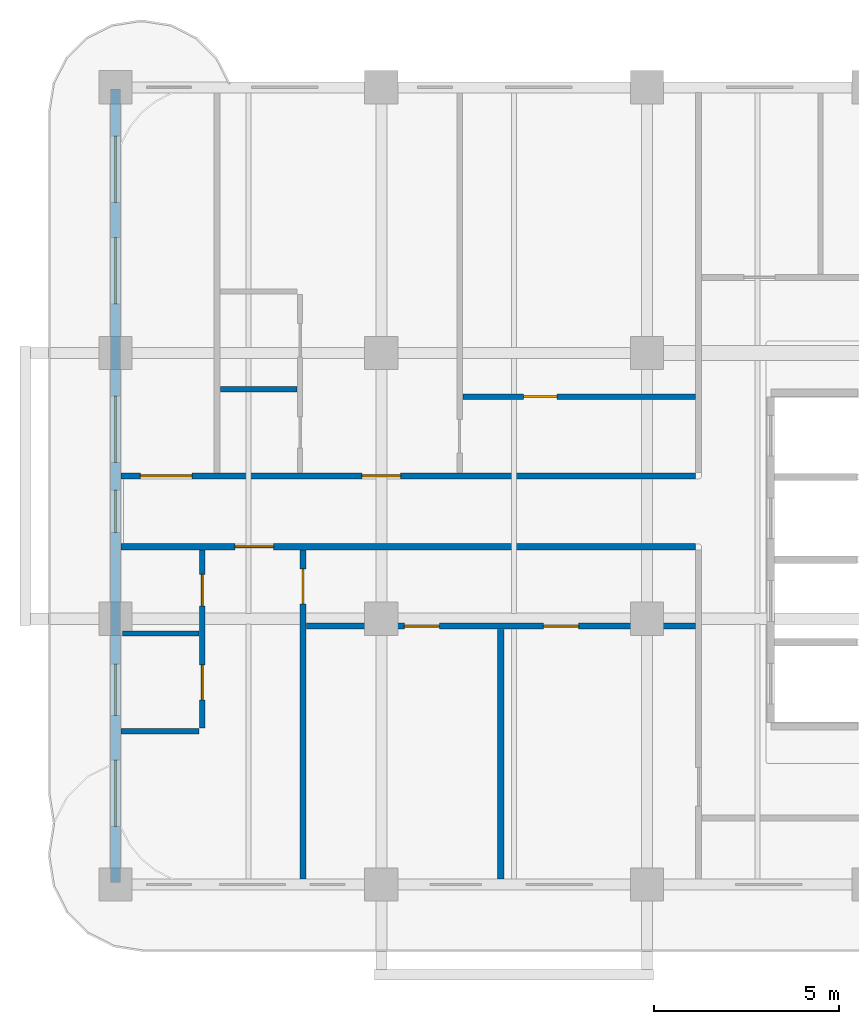
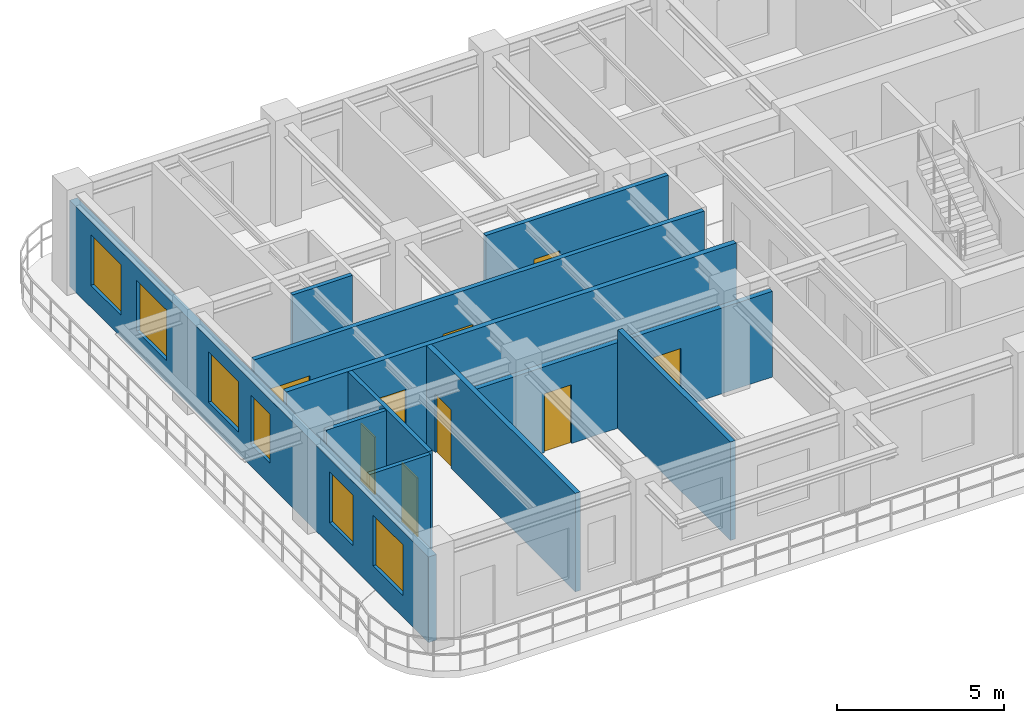
# One storey, part 2 of 7: 11 walls, 9 doors, 6 windows, 15 openings.
"""IFC4 building model written with IfcOpenShell, lengths in metres."""

from ifc_helpers import new_model, si_unit, derived_unit, direction, frame, frame_2d, origin, place, context, subcontext, project, spatial, rectangle, extrude, source, transform, mapped, material, layer, layer_set, type_object, type_shapes, element, fill, save


model = new_model("IFC4")

# Units and contexts
model_context = context("Model", 3, precision=1e-05, world=origin(), true_north=direction((0.0, 1.0)))
body_context = subcontext(model_context, "Body", "Model", "MODEL_VIEW")
ifc_project = project(units=[si_unit("LENGTHUNIT", "METRE"), si_unit("AREAUNIT", "SQUARE_METRE"), si_unit("VOLUMEUNIT", "CUBIC_METRE"), si_unit("PLANEANGLEUNIT", "RADIAN"), si_unit("MASSUNIT", "GRAM", prefix="KILO"), si_unit("THERMODYNAMICTEMPERATUREUNIT", "KELVIN"), si_unit("POWERUNIT", "WATT"), derived_unit("THERMALTRANSMITTANCEUNIT", [(si_unit("POWERUNIT", "WATT"), 1), (si_unit("AREAUNIT", "SQUARE_METRE"), -1), (si_unit("THERMODYNAMICTEMPERATUREUNIT", "KELVIN"), -1)])], contexts=[model_context])

# Site, building, storey
site_placement = place(None, origin())
site = spatial("IfcSite", under=ifc_project, at=site_placement, CompositionType="ELEMENT")
building_placement = place(site_placement, origin())
building = spatial("IfcBuilding", under=site, at=building_placement, Name="Zahravan Archway Hotel and Residences", CompositionType="ELEMENT")
storey_placement = place(building_placement, frame((0.0, 0.0, 221.14990234375)))
storey = spatial("IfcBuildingStorey", under=building, at=storey_placement, Name="L55", CompositionType="ELEMENT", Elevation=221.14990234375)

# Wall, openings, windows
ifc_material_1 = material(Name="Honed Red-Ochre Sandstone & Insulated Block", Category="masonry")
ifc_layer_1 = layer(ifc_material_1, 0.280029296875, Name="Honed Red-Ochre Sandstone & Insulated Block", Category="masonry")
ifc_layer_set_1 = layer_set([ifc_layer_1], Name="Honed Red-Ochre Sandstone & Insulated Block")
wall_type_1 = type_object("IfcWallType", Name="EW-LOG-280", PredefinedType="SOLIDWALL", material=ifc_layer_set_1)
wall_1_placement = place(storey_placement, frame((14.39990234375, 0.050048828125, 0.0), z_axis=(0.0, 0.0, 1.0), x_axis=(0.0, 1.0, 0.0)))
wall_1 = element("IfcWall", 1, at=wall_1_placement, inside=storey, type_object=wall_type_1, Name="L55 Exterior Sandstone Wall WA-W", PredefinedType="SOLIDWALL", context=body_context, shape_type="SweptSolid", body=[
    extrude(rectangle(XDim=21.5, YDim=0.280029296875, at=frame_2d((10.75, 0.0))), origin(), (0.0, 0.0, 1.0), 3.135009765625),
])
opening_1_placement = place(wall_1_placement, frame((1.52099609375, 0.0, 0.800048828125)))
opening_1 = element("IfcOpeningElement", 2, at=opening_1_placement, cuts=wall_1, Name="Opening W-02", PredefinedType="OPENING", context=body_context, shape_type="SweptSolid", body=[
    extrude(rectangle(XDim=1.800048828125, YDim=1.85009765625, at=frame_2d((0.89990234375, 0.925048828125))), frame((0.0, 0.14990234375, 0.0), z_axis=(0.0, -1.0, 0.0), x_axis=(1.0, 0.0, 0.0)), (0.0, 0.0, 1.0), 0.300048828125),
])
opening_2_placement = place(wall_1_placement, frame((4.529052734375, 0.0, 0.800048828125)))
opening_2 = element("IfcOpeningElement", 3, at=opening_2_placement, cuts=wall_1, Name="Opening W-03", PredefinedType="OPENING", context=body_context, shape_type="SweptSolid", body=[
    extrude(rectangle(XDim=1.39990234375, YDim=1.85009765625, at=frame_2d((0.699951171875, 0.925048828125))), frame((0.0, 0.14990234375, 0.0), z_axis=(0.0, -1.0, 0.0), x_axis=(1.0, 0.0, 0.0)), (0.0, 0.0, 1.0), 0.300048828125),
])
opening_3_placement = place(wall_1_placement, frame((9.485107421875, 0.0, 0.800048828125)))
opening_3 = element("IfcOpeningElement", 4, at=opening_3_placement, cuts=wall_1, Name="Opening W-05", PredefinedType="OPENING", context=body_context, shape_type="SweptSolid", body=[
    extrude(rectangle(XDim=1.14990234375, YDim=1.800048828125, at=frame_2d((0.574951171875, 0.89990234375))), frame((0.0, 0.14990234375, 0.0), z_axis=(0.0, -1.0, 0.0), x_axis=(1.0, 0.0, 0.0)), (0.0, 0.0, 1.0), 0.300048828125),
])
opening_4_placement = place(wall_1_placement, frame((11.388916015625, 0.0, 0.800048828125)))
opening_4 = element("IfcOpeningElement", 5, at=opening_4_placement, cuts=wall_1, Name="Opening W-02", PredefinedType="OPENING", context=body_context, shape_type="SweptSolid", body=[
    extrude(rectangle(XDim=1.800048828125, YDim=1.85009765625, at=frame_2d((0.89990234375, 0.925048828125))), frame((0.0, 0.14990234375, 0.0), z_axis=(0.0, -1.0, 0.0), x_axis=(1.0, 0.0, 0.0)), (0.0, 0.0, 1.0), 0.300048828125),
])
opening_5_placement = place(wall_1_placement, frame((15.675048828125, 0.0, 0.800048828125)))
opening_5 = element("IfcOpeningElement", 6, at=opening_5_placement, cuts=wall_1, Name="Opening W-02", PredefinedType="OPENING", context=body_context, shape_type="SweptSolid", body=[
    extrude(rectangle(XDim=1.800048828125, YDim=1.85009765625, at=frame_2d((0.89990234375, 0.925048828125))), frame((0.0, 0.14990234375, 0.0), z_axis=(0.0, -1.0, 0.0), x_axis=(1.0, 0.0, 0.0)), (0.0, 0.0, 1.0), 0.300048828125),
])
opening_6_placement = place(wall_1_placement, frame((18.425048828125, 0.0, 0.800048828125)))
opening_6 = element("IfcOpeningElement", 7, at=opening_6_placement, cuts=wall_1, Name="Opening W-02", PredefinedType="OPENING", context=body_context, shape_type="SweptSolid", body=[
    extrude(rectangle(XDim=1.800048828125, YDim=1.85009765625, at=frame_2d((0.89990234375, 0.925048828125))), frame((0.0, 0.14990234375, 0.0), z_axis=(0.0, -1.0, 0.0), x_axis=(1.0, 0.0, 0.0)), (0.0, 0.0, 1.0), 0.300048828125),
])
ifc_material_2 = material(Name="Bronze-Anodized Thermal-Break Aluminium & Low-E Glass", Category="aluminium")
window_type_1 = type_object("IfcWindowType", Name="WIN-TWR-1400", PartitioningType="SINGLE_PANEL", PredefinedType="WINDOW", material=ifc_material_2)
shared_shape_1 = source(origin(), body_context, "Body", "SweptSolid", [
    extrude(rectangle(XDim=1.39990234375, YDim=1.85009765625, at=frame_2d((0.699951171875, 0.925048828125))), frame((0.0, 0.030029296875, 0.0), z_axis=(0.0, -1.0, 0.0), x_axis=(1.0, 0.0, 0.0)), (0.0, 0.0, 1.0), 0.06005859375),
])
type_shapes(window_type_1, [shared_shape_1])
window_1_placement = place(opening_2_placement, origin())
window_1 = element("IfcWindow", 8, at=window_1_placement, inside=storey, type_object=window_type_1, Name="L55 Loggia Window 20", OverallHeight=1.85009765625, OverallWidth=1.39990234375, PartitioningType="SINGLE_PANEL", PredefinedType="WINDOW", context=body_context, shape_type="MappedRepresentation", body=[
    mapped(shared_shape_1, transform((0.0, 0.0, 0.0), scale=1.0)),
])
fill(opening_2, window_1)
window_type_2 = type_object("IfcWindowType", Name="WIN-TWR-1800", PartitioningType="DOUBLE_PANEL_VERTICAL", PredefinedType="WINDOW", material=ifc_material_2)
shared_shape_2 = source(origin(), body_context, "Body", "SweptSolid", [
    extrude(rectangle(XDim=1.800048828125, YDim=1.85009765625, at=frame_2d((0.89990234375, 0.925048828125))), frame((0.0, 0.030029296875, 0.0), z_axis=(0.0, -1.0, 0.0), x_axis=(1.0, 0.0, 0.0)), (0.0, 0.0, 1.0), 0.06005859375),
])
type_shapes(window_type_2, [shared_shape_2])
window_2_placement = place(opening_1_placement, origin())
window_2 = element("IfcWindow", 9, at=window_2_placement, inside=storey, type_object=window_type_2, Name="L55 Loggia Window 19", OverallHeight=1.85009765625, OverallWidth=1.800048828125, PartitioningType="DOUBLE_PANEL_VERTICAL", PredefinedType="WINDOW", context=body_context, shape_type="MappedRepresentation", body=[
    mapped(shared_shape_2, transform((0.0, 0.0, 0.0), scale=1.0)),
])
fill(opening_1, window_2)
window_3_placement = place(opening_4_placement, origin())
window_3 = element("IfcWindow", 10, at=window_3_placement, inside=storey, type_object=window_type_2, Name="L55 Loggia Window 22", OverallHeight=1.85009765625, OverallWidth=1.800048828125, PartitioningType="DOUBLE_PANEL_VERTICAL", PredefinedType="WINDOW", context=body_context, shape_type="MappedRepresentation", body=[
    mapped(shared_shape_2, transform((0.0, 0.0, 0.0), scale=1.0)),
])
fill(opening_4, window_3)
window_4_placement = place(opening_5_placement, origin())
window_4 = element("IfcWindow", 11, at=window_4_placement, inside=storey, type_object=window_type_2, Name="L55 Loggia Window 23", OverallHeight=1.85009765625, OverallWidth=1.800048828125, PartitioningType="DOUBLE_PANEL_VERTICAL", PredefinedType="WINDOW", context=body_context, shape_type="MappedRepresentation", body=[
    mapped(shared_shape_2, transform((0.0, 0.0, 0.0), scale=1.0)),
])
fill(opening_5, window_4)
window_5_placement = place(opening_6_placement, origin())
window_5 = element("IfcWindow", 12, at=window_5_placement, inside=storey, type_object=window_type_2, Name="L55 Loggia Window 24", OverallHeight=1.85009765625, OverallWidth=1.800048828125, PartitioningType="DOUBLE_PANEL_VERTICAL", PredefinedType="WINDOW", context=body_context, shape_type="MappedRepresentation", body=[
    mapped(shared_shape_2, transform((0.0, 0.0, 0.0), scale=1.0)),
])
fill(opening_6, window_5)
window_type_3 = type_object("IfcWindowType", Name="WIN-TWR-1150", PartitioningType="SINGLE_PANEL", PredefinedType="WINDOW", material=ifc_material_2)
shared_shape_3 = source(origin(), body_context, "Body", "SweptSolid", [
    extrude(rectangle(XDim=1.14990234375, YDim=1.800048828125, at=frame_2d((0.574951171875, 0.89990234375))), frame((0.0, 0.030029296875, 0.0), z_axis=(0.0, -1.0, 0.0), x_axis=(1.0, 0.0, 0.0)), (0.0, 0.0, 1.0), 0.06005859375),
])
type_shapes(window_type_3, [shared_shape_3])
window_6_placement = place(opening_3_placement, origin())
window_6 = element("IfcWindow", 13, at=window_6_placement, inside=storey, type_object=window_type_3, Name="L55 Loggia Window 21", OverallHeight=1.800048828125, OverallWidth=1.14990234375, PartitioningType="SINGLE_PANEL", PredefinedType="WINDOW", context=body_context, shape_type="MappedRepresentation", body=[
    mapped(shared_shape_3, transform((0.0, 0.0, 0.0), scale=1.0)),
])
fill(opening_3, window_6)

# Wall, openings, doors
ifc_material_3 = material(Name="Fire-Rated Gypsum & Concrete Block", Category="concrete")
ifc_layer_2 = layer(ifc_material_3, 0.159912109375, Name="Fire-Rated Gypsum & Concrete Block", Category="concrete")
ifc_layer_set_2 = layer_set([ifc_layer_2], Name="Fire-Rated Gypsum & Concrete Block")
wall_type_2 = type_object("IfcWallType", Name="PW-CORR-160", PredefinedType="PARTITIONING", material=ifc_layer_set_2)
wall_2_placement = place(storey_placement, frame((14.548095703125, 11.070068359375, 0.0), z_axis=(0.0, 0.0, 1.0), x_axis=(1.0, 0.0, 0.0)))
wall_2 = element("IfcWall", 14, at=wall_2_placement, inside=storey, type_object=wall_type_2, Name="L55 Partition WA-CN", PredefinedType="PARTITIONING", context=body_context, shape_type="SweptSolid", body=[
    extrude(rectangle(XDim=15.56201171875, YDim=0.159912109375, at=frame_2d((7.781005859375, 0.0))), origin(), (0.0, 0.0, 1.0), 3.60009765625),
])
opening_7_placement = place(wall_2_placement, frame((0.527099609375, 0.0, 0.0)))
opening_7 = element("IfcOpeningElement", 15, at=opening_7_placement, cuts=wall_2, Name="Opening D-P1", PredefinedType="OPENING", context=body_context, shape_type="SweptSolid", body=[
    extrude(rectangle(XDim=1.39990234375, YDim=2.35009765625, at=frame_2d((0.699951171875, 1.175048828125))), frame((0.0, 0.08984375, 0.0), z_axis=(0.0, -1.0, 0.0), x_axis=(1.0, 0.0, 0.0)), (0.0, 0.0, 1.0), 0.179931640625),
])
opening_8_placement = place(wall_2_placement, frame((6.527099609375, 0.0, 0.0)))
opening_8 = element("IfcOpeningElement", 16, at=opening_8_placement, cuts=wall_2, Name="Opening D-U1", PredefinedType="OPENING", context=body_context, shape_type="SweptSolid", body=[
    extrude(rectangle(XDim=1.050048828125, YDim=2.25, at=frame_2d((0.52490234375, 1.125))), frame((0.0, 0.08984375, 0.0), z_axis=(0.0, -1.0, 0.0), x_axis=(1.0, 0.0, 0.0)), (0.0, 0.0, 1.0), 0.179931640625),
])
ifc_material_4 = material(Name="Bronze-Anodized Glazed Aluminium", Category="aluminium")
door_type_1 = type_object("IfcDoorType", Name="ID-PUBLIC-1400", OperationType="DOUBLE_DOOR_SINGLE_SWING", PredefinedType="DOOR", material=ifc_material_4)
shared_shape_4 = source(origin(), body_context, "Body", "SweptSolid", [
    extrude(rectangle(XDim=1.39990234375, YDim=2.35009765625, at=frame_2d((0.699951171875, 1.175048828125))), frame((0.0, 0.02490234375, 0.0), z_axis=(0.0, -1.0, 0.0), x_axis=(1.0, 0.0, 0.0)), (0.0, 0.0, 1.0), 0.050048828125),
])
type_shapes(door_type_1, [shared_shape_4])
door_1_placement = place(opening_7_placement, origin())
door_1 = element("IfcDoor", 17, at=door_1_placement, inside=storey, type_object=door_type_1, Name="L55 North Sky Fitness Door", OperationType="DOUBLE_DOOR_SINGLE_SWING", OverallHeight=2.35009765625, OverallWidth=1.39990234375, PredefinedType="DOOR", context=body_context, shape_type="MappedRepresentation", body=[
    mapped(shared_shape_4, transform((0.0, 0.0, 0.0), scale=1.0)),
])
fill(opening_7, door_1)
ifc_material_5 = material(Name="Hardwood Veneer Timber", Category="wood")
door_type_2 = type_object("IfcDoorType", Name="ID-UNIT-1050", OperationType="NOTDEFINED", PredefinedType="DOOR", material=ifc_material_5)
shared_shape_5 = source(origin(), body_context, "Body", "SweptSolid", [
    extrude(rectangle(XDim=1.050048828125, YDim=2.25, at=frame_2d((0.52490234375, 1.125))), frame((0.0, 0.02490234375, 0.0), z_axis=(0.0, -1.0, 0.0), x_axis=(1.0, 0.0, 0.0)), (0.0, 0.0, 1.0), 0.050048828125),
])
type_shapes(door_type_2, [shared_shape_5])
door_2_placement = place(opening_8_placement, origin())
door_2 = element("IfcDoor", 18, at=door_2_placement, inside=storey, type_object=door_type_2, Name="L55 Flat N1 Entrance Door", OperationType="SINGLE_SWING_RIGHT", OverallHeight=2.25, OverallWidth=1.050048828125, PredefinedType="DOOR", context=body_context, shape_type="MappedRepresentation", body=[
    mapped(shared_shape_5, transform((0.0, 0.0, 0.0), scale=1.0)),
])
fill(opening_8, door_2)

# Wall, opening, door
ifc_layer_3 = layer(ifc_material_3, 0.179931640625, Name="Fire-Rated Gypsum & Concrete Block", Category="concrete")
ifc_layer_set_3 = layer_set([ifc_layer_3], Name="Fire-Rated Gypsum & Concrete Block")
wall_type_3 = type_object("IfcWallType", Name="PW-CORR-180", PredefinedType="PARTITIONING", material=ifc_layer_set_3)
wall_3_placement = place(storey_placement, frame((14.548095703125, 9.14990234375, 0.0), z_axis=(0.0, 0.0, 1.0), x_axis=(1.0, 0.0, 0.0)))
wall_3 = element("IfcWall", 19, at=wall_3_placement, inside=storey, type_object=wall_type_3, Name="L55 Partition WA-CS", PredefinedType="PARTITIONING", context=body_context, shape_type="SweptSolid", body=[
    extrude(rectangle(XDim=15.56201171875, YDim=0.179931640625, at=frame_2d((7.781005859375, 0.0))), origin(), (0.0, 0.0, 1.0), 3.60009765625),
])
opening_9_placement = place(wall_3_placement, frame((3.08203125, 0.0, 0.0)))
opening_9 = element("IfcOpeningElement", 20, at=opening_9_placement, cuts=wall_3, Name="Opening D-U1", PredefinedType="OPENING", context=body_context, shape_type="SweptSolid", body=[
    extrude(rectangle(XDim=1.050048828125, YDim=2.25, at=frame_2d((0.52490234375, 1.125))), frame((0.0, 0.10009765625, 0.0), z_axis=(0.0, -1.0, 0.0), x_axis=(1.0, 0.0, 0.0)), (0.0, 0.0, 1.0), 0.199951171875),
])
door_3_placement = place(opening_9_placement, origin())
door_3 = element("IfcDoor", 21, at=door_3_placement, inside=storey, type_object=door_type_2, Name="L55 Flat S1 Entrance Door", OperationType="SINGLE_SWING_RIGHT", OverallHeight=2.25, OverallWidth=1.050048828125, PredefinedType="DOOR", context=body_context, shape_type="MappedRepresentation", body=[
    mapped(shared_shape_5, transform((0.0, 0.0, 0.0), scale=1.0)),
])
fill(opening_9, door_3)

ifc_material_6 = material(Name="Acoustic Stud Partition")
ifc_layer_4 = layer(ifc_material_6, 0.14990234375, Name="Acoustic Stud Partition")
ifc_layer_set_4 = layer_set([ifc_layer_4], Name="Acoustic Stud Partition")
wall_type_4 = type_object("IfcWallType", Name="PW-UNIT-150", PredefinedType="PARTITIONING", material=ifc_layer_set_4)
wall_4_placement = place(storey_placement, frame((23.81005859375, 13.219970703125, 0.0), z_axis=(0.0, 0.0, 1.0), x_axis=(1.0, 0.0, 0.0)))
wall_4 = element("IfcWall", 22, at=wall_4_placement, inside=storey, type_object=wall_type_4, Name="L55 Partition FL-N1-GH", PredefinedType="PARTITIONING", context=body_context, shape_type="SweptSolid", body=[
    extrude(rectangle(XDim=6.300048828125, YDim=0.14990234375, at=frame_2d((3.14990234375, 0.0))), origin(), (0.0, 0.0, 1.0), 3.60009765625),
])
opening_10_placement = place(wall_4_placement, frame((1.64990234375, 0.0, 0.0)))
opening_10 = element("IfcOpeningElement", 23, at=opening_10_placement, cuts=wall_4, Name="Opening D-I2", PredefinedType="OPENING", context=body_context, shape_type="SweptSolid", body=[
    extrude(rectangle(XDim=0.89990234375, YDim=2.14990234375, at=frame_2d((0.449951171875, 1.074951171875))), frame((0.0, 0.0849609375, 0.0), z_axis=(0.0, -1.0, 0.0), x_axis=(1.0, 0.0, 0.0)), (0.0, 0.0, 1.0), 0.169921875),
])
door_type_3 = type_object("IfcDoorType", Name="ID-INT-900", OperationType="NOTDEFINED", PredefinedType="DOOR", material=ifc_material_5)
shared_shape_6 = source(origin(), body_context, "Body", "SweptSolid", [
    extrude(rectangle(XDim=0.89990234375, YDim=2.14990234375, at=frame_2d((0.449951171875, 1.074951171875))), frame((0.0, 0.02490234375, 0.0), z_axis=(0.0, -1.0, 0.0), x_axis=(1.0, 0.0, 0.0)), (0.0, 0.0, 1.0), 0.050048828125),
])
type_shapes(door_type_3, [shared_shape_6])
door_4_placement = place(opening_10_placement, origin())
door_4 = element("IfcDoor", 24, at=door_4_placement, inside=storey, type_object=door_type_3, Name="L55 Flat N1 Bedroom 1 Door", OperationType="SINGLE_SWING_RIGHT", OverallHeight=2.14990234375, OverallWidth=0.89990234375, PredefinedType="DOOR", context=body_context, shape_type="MappedRepresentation", body=[
    mapped(shared_shape_6, transform((0.0, 0.0, 0.0), scale=1.0)),
])
fill(opening_10, door_4)

ifc_layer_5 = layer(ifc_material_6, 0.169921875, Name="Acoustic Stud Partition")
ifc_layer_set_5 = layer_set([ifc_layer_5], Name="Acoustic Stud Partition")
wall_type_5 = type_object("IfcWallType", Name="PW-UNIT-170", PredefinedType="PARTITIONING", material=ifc_layer_set_5)
wall_5_placement = place(storey_placement, frame((19.47998046875, 0.14794921875, 0.0), z_axis=(0.0, 0.0, 1.0), x_axis=(0.0, 1.0, 0.0)))
wall_5 = element("IfcWall", 25, at=wall_5_placement, inside=storey, type_object=wall_type_5, Name="L55 Partition FL-S1-SP", PredefinedType="PARTITIONING", context=body_context, shape_type="SweptSolid", body=[
    extrude(rectangle(XDim=8.912109375, YDim=0.169921875, at=frame_2d((4.4560546875, 0.0))), origin(), (0.0, 0.0, 1.0), 3.60009765625),
])
opening_11_placement = place(wall_5_placement, frame((7.451904296875, 0.0, 0.0)))
opening_11 = element("IfcOpeningElement", 26, at=opening_11_placement, cuts=wall_5, Name="Opening D-I1", PredefinedType="OPENING", context=body_context, shape_type="SweptSolid", body=[
    extrude(rectangle(XDim=0.949951171875, YDim=2.14990234375, at=frame_2d((0.47509765625, 1.074951171875))), frame((0.0, 0.094970703125, 0.0), z_axis=(0.0, -1.0, 0.0), x_axis=(1.0, 0.0, 0.0)), (0.0, 0.0, 1.0), 0.18994140625),
])
door_type_4 = type_object("IfcDoorType", Name="ID-INT-950", OperationType="NOTDEFINED", PredefinedType="DOOR", material=ifc_material_5)
shared_shape_7 = source(origin(), body_context, "Body", "SweptSolid", [
    extrude(rectangle(XDim=0.949951171875, YDim=2.14990234375, at=frame_2d((0.47509765625, 1.074951171875))), frame((0.0, 0.02490234375, 0.0), z_axis=(0.0, -1.0, 0.0), x_axis=(1.0, 0.0, 0.0)), (0.0, 0.0, 1.0), 0.050048828125),
])
type_shapes(door_type_4, [shared_shape_7])
door_5_placement = place(opening_11_placement, origin())
door_5 = element("IfcDoor", 27, at=door_5_placement, inside=storey, type_object=door_type_4, Name="L55 Flat S1 Bedroom Hall Door", OperationType="SINGLE_SWING_LEFT", OverallHeight=2.14990234375, OverallWidth=0.949951171875, PredefinedType="DOOR", context=body_context, shape_type="MappedRepresentation", body=[
    mapped(shared_shape_7, transform((0.0, 0.0, 0.0), scale=1.0)),
])
fill(opening_11, door_5)

# Wall, openings, doors
wall_6_placement = place(storey_placement, frame((19.570068359375, 7.0, 0.0), z_axis=(0.0, 0.0, 1.0), x_axis=(1.0, 0.0, 0.0)))
wall_6 = element("IfcWall", 28, at=wall_6_placement, inside=storey, type_object=wall_type_5, Name="L55 Partition FL-S1-GH", PredefinedType="PARTITIONING", context=body_context, shape_type="SweptSolid", body=[
    extrude(rectangle(XDim=10.5400390625, YDim=0.169921875, at=frame_2d((5.27001953125, 0.0))), origin(), (0.0, 0.0, 1.0), 3.135009765625),
])
opening_12_placement = place(wall_6_placement, frame((2.6552734375, 0.0, 0.0)))
opening_12 = element("IfcOpeningElement", 29, at=opening_12_placement, cuts=wall_6, Name="Opening D-I1", PredefinedType="OPENING", context=body_context, shape_type="SweptSolid", body=[
    extrude(rectangle(XDim=0.949951171875, YDim=2.14990234375, at=frame_2d((0.47509765625, 1.074951171875))), frame((0.0, 0.094970703125, 0.0), z_axis=(0.0, -1.0, 0.0), x_axis=(1.0, 0.0, 0.0)), (0.0, 0.0, 1.0), 0.18994140625),
])
opening_13_placement = place(wall_6_placement, frame((6.425048828125, 0.0, 0.0)))
opening_13 = element("IfcOpeningElement", 30, at=opening_13_placement, cuts=wall_6, Name="Opening D-I1", PredefinedType="OPENING", context=body_context, shape_type="SweptSolid", body=[
    extrude(rectangle(XDim=0.949951171875, YDim=2.14990234375, at=frame_2d((0.47509765625, 1.074951171875))), frame((0.0, 0.094970703125, 0.0), z_axis=(0.0, -1.0, 0.0), x_axis=(1.0, 0.0, 0.0)), (0.0, 0.0, 1.0), 0.18994140625),
])
door_6_placement = place(opening_12_placement, origin())
door_6 = element("IfcDoor", 31, at=door_6_placement, inside=storey, type_object=door_type_4, Name="L55 Flat S1 Bedroom 1 Door", OperationType="SINGLE_SWING_RIGHT", OverallHeight=2.14990234375, OverallWidth=0.949951171875, PredefinedType="DOOR", context=body_context, shape_type="MappedRepresentation", body=[
    mapped(shared_shape_7, transform((0.0, 0.0, 0.0), scale=1.0)),
])
fill(opening_12, door_6)
door_7_placement = place(opening_13_placement, origin())
door_7 = element("IfcDoor", 32, at=door_7_placement, inside=storey, type_object=door_type_4, Name="L55 Flat S1 Bedroom 2 Door", OperationType="SINGLE_SWING_LEFT", OverallHeight=2.14990234375, OverallWidth=0.949951171875, PredefinedType="DOOR", context=body_context, shape_type="MappedRepresentation", body=[
    mapped(shared_shape_7, transform((0.0, 0.0, 0.0), scale=1.0)),
])
fill(opening_13, door_7)

# Wall
wall_7_placement = place(storey_placement, frame((24.840087890625, 0.14794921875, 0.0), z_axis=(0.0, 0.0, 1.0), x_axis=(0.0, 1.0, 0.0)))
element("IfcWall", 33, at=wall_7_placement, inside=storey, type_object=wall_type_5, Name="L55 Partition FL-S1-BD1", PredefinedType="PARTITIONING", context=body_context, shape_type="SweptSolid", body=[
    extrude(rectangle(XDim=6.761962890625, YDim=0.169921875, at=frame_2d((3.380859375, 0.0))), origin(), (0.0, 0.0, 1.0), 3.60009765625),
])

# Wall, openings, doors
ifc_material_7 = material(Name="Moisture-Resistant Blockwork", Category="masonry")
ifc_layer_6 = layer(ifc_material_7, 0.139892578125, Name="Moisture-Resistant Blockwork", Category="masonry")
ifc_layer_set_6 = layer_set([ifc_layer_6], Name="Moisture-Resistant Blockwork")
wall_type_6 = type_object("IfcWallType", Name="PW-WET-140", PredefinedType="PARTITIONING", material=ifc_layer_set_6)
wall_8_placement = place(storey_placement, frame((16.75, 4.239990234375, 0.0), z_axis=(0.0, 0.0, 1.0), x_axis=(0.0, 1.0, 0.0)))
wall_8 = element("IfcWall", 34, at=wall_8_placement, inside=storey, type_object=wall_type_6, Name="L55 Partition FL-S1-BV", PredefinedType="PARTITIONING", context=body_context, shape_type="SweptSolid", body=[
    extrude(rectangle(XDim=4.820068359375, YDim=0.139892578125, at=frame_2d((2.41015625, 0.0))), origin(), (0.0, 0.0, 1.0), 3.60009765625),
])
opening_14_placement = place(wall_8_placement, frame((0.760009765625, 0.0, 0.0)))
opening_14 = element("IfcOpeningElement", 35, at=opening_14_placement, cuts=wall_8, Name="Opening D-I1", PredefinedType="OPENING", context=body_context, shape_type="SweptSolid", body=[
    extrude(rectangle(XDim=0.949951171875, YDim=2.14990234375, at=frame_2d((0.47509765625, 1.074951171875))), frame((0.0, 0.080078125, 0.0), z_axis=(0.0, -1.0, 0.0), x_axis=(1.0, 0.0, 0.0)), (0.0, 0.0, 1.0), 0.159912109375),
])
opening_15_placement = place(wall_8_placement, frame((3.31005859375, 0.0, 0.0)))
opening_15 = element("IfcOpeningElement", 36, at=opening_15_placement, cuts=wall_8, Name="Opening D-B1", PredefinedType="OPENING", context=body_context, shape_type="SweptSolid", body=[
    extrude(rectangle(XDim=0.85009765625, YDim=2.10009765625, at=frame_2d((0.425048828125, 1.050048828125))), frame((0.0, 0.080078125, 0.0), z_axis=(0.0, -1.0, 0.0), x_axis=(1.0, 0.0, 0.0)), (0.0, 0.0, 1.0), 0.159912109375),
])
door_type_5 = type_object("IfcDoorType", Name="ID-BATH-850", OperationType="NOTDEFINED", PredefinedType="DOOR", material=ifc_material_5)
shared_shape_8 = source(origin(), body_context, "Body", "SweptSolid", [
    extrude(rectangle(XDim=0.85009765625, YDim=2.10009765625, at=frame_2d((0.425048828125, 1.050048828125))), frame((0.0, 0.02490234375, 0.0), z_axis=(0.0, -1.0, 0.0), x_axis=(1.0, 0.0, 0.0)), (0.0, 0.0, 1.0), 0.050048828125),
])
type_shapes(door_type_5, [shared_shape_8])
door_8_placement = place(opening_15_placement, origin())
door_8 = element("IfcDoor", 37, at=door_8_placement, inside=storey, type_object=door_type_5, Name="L55 Flat S1 Bathroom Door", OperationType="SINGLE_SWING_LEFT", OverallHeight=2.10009765625, OverallWidth=0.85009765625, PredefinedType="DOOR", context=body_context, shape_type="MappedRepresentation", body=[
    mapped(shared_shape_8, transform((0.0, 0.0, 0.0), scale=1.0)),
])
fill(opening_15, door_8)
door_9_placement = place(opening_14_placement, origin())
door_9 = element("IfcDoor", 38, at=door_9_placement, inside=storey, type_object=door_type_4, Name="L55 Flat S1 Kitchen Door", OperationType="SINGLE_SWING_RIGHT", OverallHeight=2.14990234375, OverallWidth=0.949951171875, PredefinedType="DOOR", context=body_context, shape_type="MappedRepresentation", body=[
    mapped(shared_shape_7, transform((0.0, 0.0, 0.0), scale=1.0)),
])
fill(opening_14, door_9)

# Walls
wall_9_placement = place(storey_placement, frame((14.590087890625, 6.800048828125, 0.0), z_axis=(0.0, 0.0, 1.0), x_axis=(1.0, 0.0, 0.0)))
element("IfcWall", 39, at=wall_9_placement, inside=storey, type_object=wall_type_6, Name="L55 Partition FL-S1-BM", PredefinedType="PARTITIONING", context=body_context, shape_type="SweptSolid", body=[
    extrude(rectangle(XDim=2.06982421875, YDim=0.139892578125, at=frame_2d((1.034912109375, 0.0))), origin(), (0.0, 0.0, 1.0), 3.60009765625),
])
wall_10_placement = place(storey_placement, frame((14.548095703125, 4.14990234375, 0.0), z_axis=(0.0, 0.0, 1.0), x_axis=(1.0, 0.0, 0.0)))
element("IfcWall", 40, at=wall_10_placement, inside=storey, type_object=wall_type_6, Name="L55 Partition FL-S1-KH", PredefinedType="PARTITIONING", context=body_context, shape_type="SweptSolid", body=[
    extrude(rectangle(XDim=2.11181640625, YDim=0.139892578125, at=frame_2d((1.055908203125, 0.0))), origin(), (0.0, 0.0, 1.0), 3.60009765625),
])
wall_11_placement = place(storey_placement, frame((17.239990234375, 13.419921875, 0.0), z_axis=(0.0, 0.0, 1.0), x_axis=(1.0, 0.0, 0.0)))
element("IfcWall", 41, at=wall_11_placement, inside=storey, type_object=wall_type_6, Name="L55 Partition FL-N1-BM", PredefinedType="PARTITIONING", context=body_context, shape_type="SweptSolid", body=[
    extrude(rectangle(XDim=2.070068359375, YDim=0.139892578125, at=frame_2d((1.03515625, 0.0))), origin(), (0.0, 0.0, 1.0), 3.60009765625),
])

save(model, "model.ifc")
